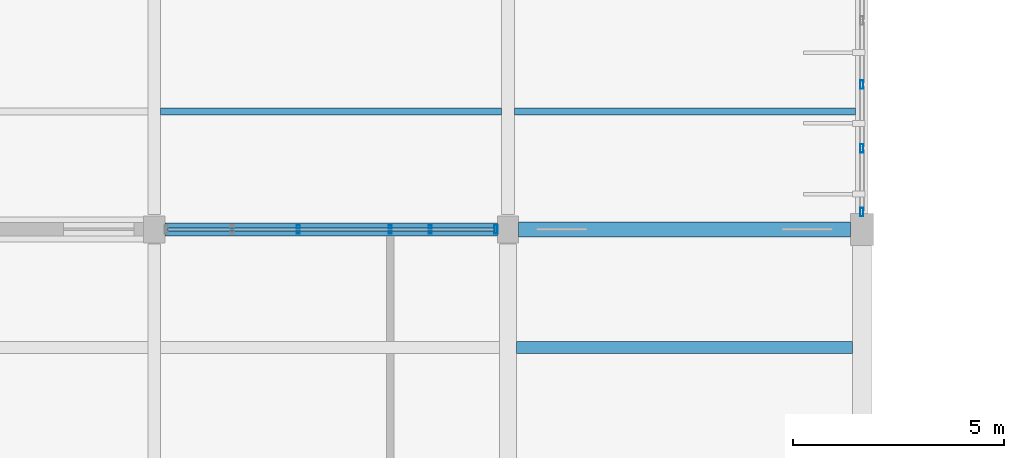
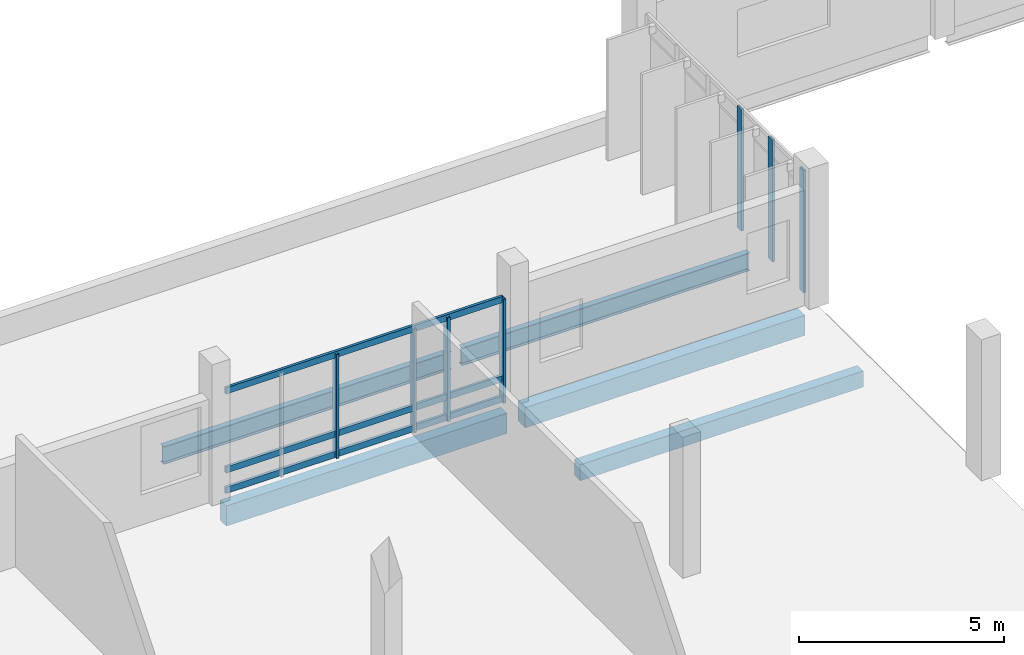
# One storey, part 68 of 101: 10 members, 5 beams, 2 elements without a shape of their own.
"""IFC4 building model written with IfcOpenShell, lengths in metres."""

from ifc_helpers import new_model, si_unit, direction, frame, origin, origin_2d, place, context, subcontext, project, spatial, rectangle, hollow_rectangle, i_section, extrude, material, layer, layer_set, material_profile, profile_set, type_object, element, aggregate, save


model = new_model("IFC4")

# Units and contexts
model_context = context("Model", 3, precision=1e-05, world=origin(), true_north=direction((0.0, 1.0)))
body_context = subcontext(model_context, "Body", "Model", "MODEL_VIEW")
ifc_project = project(units=[si_unit("LENGTHUNIT", "METRE"), si_unit("AREAUNIT", "SQUARE_METRE"), si_unit("VOLUMEUNIT", "CUBIC_METRE"), si_unit("PLANEANGLEUNIT", "RADIAN"), si_unit("MASSUNIT", "GRAM", prefix="KILO")], contexts=[model_context])

# Site, building, storey
site_placement = place(None, origin())
site = spatial("IfcSite", under=ifc_project, at=site_placement, CompositionType="ELEMENT")
building_placement = place(site_placement, origin())
building = spatial("IfcBuilding", under=site, at=building_placement, Name="Vireocrest Preparatory School", CompositionType="ELEMENT")
storey_placement = place(building_placement, frame((0.0, 0.0, 4.800048828125)))
storey = spatial("IfcBuildingStorey", under=building, at=storey_placement, Name="L01", CompositionType="ELEMENT", Elevation=4.800048828125)

# Curtain wall, members
ifc_material_1 = material(Name="Thermally broken aluminium EN AW-6063-T6", Category="aluminium")
ifc_layer_1 = layer(ifc_material_1, 0.179931640625)
ifc_layer_set_1 = layer_set([ifc_layer_1], Name="Thermally broken aluminium EN AW-6063-T6")
curtain_wall_type_1 = type_object("IfcCurtainWallType", Name="Teaching Fin Curtain Wall 8400x4200", PredefinedType="USERDEFINED", material=ifc_layer_set_1)
curtain_wall_1_placement = place(storey_placement, origin())
curtain_wall_1 = element("IfcCurtainWall", 1, at=curtain_wall_1_placement, inside=storey, type_object=curtain_wall_type_1, Name="Curtain Wall CW03 CW_L01_CW03_1428_0442_048", ObjectType="CURTAIN WALL", PredefinedType="USERDEFINED")
ifc_material_profile_1 = material_profile(ifc_material_1, hollow_rectangle(XDim=0.074951171875, YDim=0.199951171875, WallThickness=0.0048828125, at=origin_2d()), Name="ALU 75x200x5")
ifc_profile_set_1 = profile_set([ifc_material_profile_1], Name="Thermally broken aluminium EN AW-6063-T6")
member_type_1 = type_object("IfcMemberType", Name="CW Mullion 75x200x5", PredefinedType="MULLION", material=ifc_profile_set_1)
member_1_placement = place(storey_placement, frame((142.800048828125, 44.2099609375, 0.0), z_axis=(0.0, 0.0, 1.0), x_axis=(1.0, 0.0, 0.0)))
member_1 = element("IfcMember", 2, at=member_1_placement, type_object=member_type_1, Name="CW Mullion ML3 CW_L01_CW03_1428_0442_048-1", PredefinedType="MULLION", context=body_context, shape_type="SweptSolid", body=[
    extrude(hollow_rectangle(XDim=0.074951171875, YDim=0.199951171875, WallThickness=0.0048828125, at=origin_2d()), origin(), (0.0, 0.0, 1.0), 3.6318359375),
])
member_2_placement = place(storey_placement, frame((142.800048828125, 45.72607421875, 0.0), z_axis=(0.0, 0.0, 1.0), x_axis=(1.0, 0.0, 0.0)))
member_2 = element("IfcMember", 3, at=member_2_placement, type_object=member_type_1, Name="CW Mullion ML3 CW_L01_CW03_1428_0442_048-2", PredefinedType="MULLION", context=body_context, shape_type="SweptSolid", body=[
    extrude(hollow_rectangle(XDim=0.074951171875, YDim=0.199951171875, WallThickness=0.0048828125, at=origin_2d()), origin(), (0.0, 0.0, 1.0), 3.6318359375),
])
member_3_placement = place(storey_placement, frame((142.800048828125, 47.241943359375, 0.0), z_axis=(0.0, 0.0, 1.0), x_axis=(1.0, 0.0, 0.0)))
member_3 = element("IfcMember", 4, at=member_3_placement, type_object=member_type_1, Name="CW Mullion ML3 CW_L01_CW03_1428_0442_048-3", PredefinedType="MULLION", context=body_context, shape_type="SweptSolid", body=[
    extrude(hollow_rectangle(XDim=0.074951171875, YDim=0.199951171875, WallThickness=0.0048828125, at=origin_2d()), origin(), (0.0, 0.0, 1.0), 3.6318359375),
])
aggregate(curtain_wall_1, [member_1, member_2, member_3])

ifc_layer_2 = layer(ifc_material_1, 0.179931640625)
ifc_layer_set_2 = layer_set([ifc_layer_2], Name="Thermally broken aluminium EN AW-6063-T6")
curtain_wall_type_2 = type_object("IfcCurtainWallType", Name="Library Reading Bay Glazing 7600x4200", PredefinedType="USERDEFINED", material=ifc_layer_set_2)
curtain_wall_2_placement = place(storey_placement, origin())
curtain_wall_2 = element("IfcCurtainWall", 5, at=curtain_wall_2_placement, inside=storey, type_object=curtain_wall_type_2, Name="Curtain Wall CW16 CW_L01_CW16_1262_0438_048", ObjectType="CURTAIN WALL", PredefinedType="USERDEFINED")
member_4_placement = place(storey_placement, frame((129.4169921875, 43.800048828125, 0.0), z_axis=(0.0, 0.0, 1.0), x_axis=(1.0, 0.0, 0.0)))
member_4 = element("IfcMember", 6, at=member_4_placement, type_object=member_type_1, Name="CW Mullion ML3 CW_L01_CW16_1262_0438_048-3", PredefinedType="MULLION", context=body_context, shape_type="SweptSolid", body=[
    extrude(hollow_rectangle(XDim=0.074951171875, YDim=0.199951171875, WallThickness=0.0048828125, at=origin_2d()), origin(), (0.0, 0.0, 1.0), 3.094970703125),
])
member_5_placement = place(storey_placement, frame((131.60009765625, 43.800048828125, 0.0), z_axis=(0.0, 0.0, 1.0), x_axis=(1.0, 0.0, 0.0)))
member_5 = element("IfcMember", 7, at=member_5_placement, type_object=member_type_1, Name="CW Mullion ML3 CW_L01_CW16_1262_0438_048-4", PredefinedType="MULLION", context=body_context, shape_type="SweptSolid", body=[
    extrude(hollow_rectangle(XDim=0.074951171875, YDim=0.199951171875, WallThickness=0.0048828125, at=origin_2d()), origin(), (0.0, 0.0, 1.0), 3.094970703125),
])
member_6_placement = place(storey_placement, frame((132.549072265625, 43.800048828125, 0.0), z_axis=(0.0, 0.0, 1.0), x_axis=(1.0, 0.0, 0.0)))
member_6 = element("IfcMember", 8, at=member_6_placement, type_object=member_type_1, Name="CW Mullion ML3 CW_L01_CW16_1262_0438_048-5", PredefinedType="MULLION", context=body_context, shape_type="SweptSolid", body=[
    extrude(hollow_rectangle(XDim=0.074951171875, YDim=0.199951171875, WallThickness=0.0048828125, at=origin_2d()), origin(), (0.0, 0.0, 1.0), 3.094970703125),
])
member_7_placement = place(storey_placement, frame((134.114990234375, 43.800048828125, 0.0), z_axis=(0.0, 0.0, 1.0), x_axis=(1.0, 0.0, 0.0)))
member_7 = element("IfcMember", 9, at=member_7_placement, type_object=member_type_1, Name="CW Mullion ML3 CW_L01_CW16_1262_0438_048-6", PredefinedType="MULLION", context=body_context, shape_type="SweptSolid", body=[
    extrude(hollow_rectangle(XDim=0.074951171875, YDim=0.199951171875, WallThickness=0.0048828125, at=origin_2d()), origin(), (0.0, 0.0, 1.0), 3.094970703125),
])
ifc_material_profile_2 = material_profile(ifc_material_1, hollow_rectangle(XDim=0.074951171875, YDim=0.18994140625, WallThickness=0.00390625, at=origin_2d()), Name="ALU 75x190x4")
ifc_profile_set_2 = profile_set([ifc_material_profile_2], Name="Thermally broken aluminium EN AW-6063-T6")
member_type_2 = type_object("IfcMemberType", Name="CW Transom 75x190x4", PredefinedType="USERDEFINED", material=ifc_profile_set_2)
member_8_placement = place(storey_placement, frame((126.31005859375, 43.800048828125, 0.094970703125), z_axis=(1.0, 0.0, 0.0), x_axis=(0.0, 1.0, 0.0)))
member_8 = element("IfcMember", 10, at=member_8_placement, type_object=member_type_2, Name="CW Transom TR3 CW_L01_CW16_1262_0438_048-1", ObjectType="TRANSOM", PredefinedType="USERDEFINED", context=body_context, shape_type="SweptSolid", body=[
    extrude(hollow_rectangle(XDim=0.074951171875, YDim=0.18994140625, WallThickness=0.00390625, at=origin_2d()), origin(), (0.0, 0.0, 1.0), 7.780029296875),
])
member_9_placement = place(storey_placement, frame((126.31005859375, 43.800048828125, 0.699951171875), z_axis=(1.0, 0.0, 0.0), x_axis=(0.0, 1.0, 0.0)))
member_9 = element("IfcMember", 11, at=member_9_placement, type_object=member_type_2, Name="CW Transom TR3 CW_L01_CW16_1262_0438_048-2", ObjectType="TRANSOM", PredefinedType="USERDEFINED", context=body_context, shape_type="SweptSolid", body=[
    extrude(hollow_rectangle(XDim=0.074951171875, YDim=0.18994140625, WallThickness=0.00390625, at=origin_2d()), origin(), (0.0, 0.0, 1.0), 7.780029296875),
])
member_10_placement = place(storey_placement, frame((126.31005859375, 43.800048828125, 3.054931640625), z_axis=(1.0, 0.0, 0.0), x_axis=(0.0, 1.0, 0.0)))
member_10 = element("IfcMember", 12, at=member_10_placement, type_object=member_type_2, Name="CW Transom TR3 CW_L01_CW16_1262_0438_048-3", ObjectType="TRANSOM", PredefinedType="USERDEFINED", context=body_context, shape_type="SweptSolid", body=[
    extrude(hollow_rectangle(XDim=0.074951171875, YDim=0.18994140625, WallThickness=0.00390625, at=origin_2d()), origin(), (0.0, 0.0, 1.0), 7.780029296875),
])
aggregate(curtain_wall_2, [member_4, member_5, member_6, member_7, member_8, member_9, member_10])

# Beams
ifc_material_2 = material(Name="Structural steel ASTM A992 Grade 50", Category="steel")
ifc_material_profile_3 = material_profile(ifc_material_2, i_section(OverallWidth=0.166015625, OverallDepth=0.529052734375, WebThickness=0.009765625, FlangeThickness=0.013671875, FilletRadius=0.014892578125, at=origin_2d()), Name="W21X50")
ifc_profile_set_3 = profile_set([ifc_material_profile_3], Name="Structural steel ASTM A992 Grade 50")
beam_type_1 = type_object("IfcBeamType", Name="Pavilion Roof Joist W21X50", PredefinedType="JOIST", material=ifc_profile_set_3)
beam_1_placement = place(storey_placement, frame((126.14990234375, 46.60009765625, -0.484619140625), z_axis=(1.0, 0.0, 0.0), x_axis=(0.0, 1.0, 0.0)))
element("IfcBeam", 13, at=beam_1_placement, inside=storey, type_object=beam_type_1, Name="Secondary Joist SJ1 L01-0653", PredefinedType="JOIST", context=body_context, shape_type="SweptSolid", body=[
    extrude(i_section(OverallWidth=0.166015625, OverallDepth=0.529052734375, WebThickness=0.009765625, FlangeThickness=0.013671875, FilletRadius=0.014892578125, at=origin_2d()), origin(), (0.0, 0.0, 1.0), 8.10009765625),
])
beam_2_placement = place(storey_placement, frame((134.550048828125, 46.60009765625, -0.484619140625), z_axis=(1.0, 0.0, 0.0), x_axis=(0.0, 1.0, 0.0)))
element("IfcBeam", 14, at=beam_2_placement, inside=storey, type_object=beam_type_1, Name="Secondary Joist SJ1 L01-0661", PredefinedType="JOIST", context=body_context, shape_type="SweptSolid", body=[
    extrude(i_section(OverallWidth=0.166015625, OverallDepth=0.529052734375, WebThickness=0.009765625, FlangeThickness=0.013671875, FilletRadius=0.014892578125, at=origin_2d()), origin(), (0.0, 0.0, 1.0), 8.099853515625),
])
ifc_material_3 = material(Name="Concrete 40 MPa", Category="concrete")
ifc_material_profile_4 = material_profile(ifc_material_3, rectangle(XDim=0.300048828125, YDim=0.60009765625, at=origin_2d()), Name="RC 300x600")
ifc_profile_set_4 = profile_set([ifc_material_profile_4], Name="Concrete 40 MPa")
beam_type_2 = type_object("IfcBeamType", Name="RC Classroom Beam 300x600", PredefinedType="BEAM", material=ifc_profile_set_4)
beam_3_placement = place(storey_placement, frame((126.25, 43.800048828125, -0.580078125), z_axis=(1.0, 0.0, 0.0), x_axis=(0.0, 1.0, 0.0)))
element("IfcBeam", 15, at=beam_3_placement, inside=storey, type_object=beam_type_2, Name="Primary Girder B03 L01-0307", PredefinedType="BEAM", context=body_context, shape_type="SweptSolid", body=[
    extrude(rectangle(XDim=0.300048828125, YDim=0.60009765625, at=origin_2d()), origin(), (0.0, 0.0, 1.0), 7.89990234375),
])
ifc_material_profile_5 = material_profile(ifc_material_3, rectangle(XDim=0.35009765625, YDim=0.60009765625, at=origin_2d()), Name="RC 350x600")
ifc_profile_set_5 = profile_set([ifc_material_profile_5], Name="Concrete 40 MPa")
beam_type_3 = type_object("IfcBeamType", Name="RC Classroom Girder 350x600", PredefinedType="BEAM", material=ifc_profile_set_5)
beam_4_placement = place(storey_placement, frame((134.64990234375, 43.800048828125, -0.580078125), z_axis=(1.0, 0.0, 0.0), x_axis=(0.0, 1.0, 0.0)))
element("IfcBeam", 16, at=beam_4_placement, inside=storey, type_object=beam_type_3, Name="Primary Girder B04 L01-0308", PredefinedType="BEAM", context=body_context, shape_type="SweptSolid", body=[
    extrude(rectangle(XDim=0.35009765625, YDim=0.60009765625, at=origin_2d()), origin(), (0.0, 0.0, 1.0), 7.875),
])
ifc_material_profile_6 = material_profile(ifc_material_3, rectangle(XDim=0.280029296875, YDim=0.47998046875, at=origin_2d()), Name="RC 280x480")
ifc_profile_set_6 = profile_set([ifc_material_profile_6], Name="Concrete 40 MPa")
beam_type_4 = type_object("IfcBeamType", Name="RC Secondary Lab Joist 280x480", PredefinedType="JOIST", material=ifc_profile_set_6)
beam_5_placement = place(storey_placement, frame((134.60009765625, 41.0, -0.52001953125), z_axis=(1.0, 0.0, 0.0), x_axis=(0.0, 1.0, 0.0)))
element("IfcBeam", 17, at=beam_5_placement, inside=storey, type_object=beam_type_4, Name="Secondary Joist J02 L01-0660", PredefinedType="JOIST", context=body_context, shape_type="SweptSolid", body=[
    extrude(rectangle(XDim=0.280029296875, YDim=0.47998046875, at=origin_2d()), origin(), (0.0, 0.0, 1.0), 7.974853515625),
])

save(model, "model.ifc")
